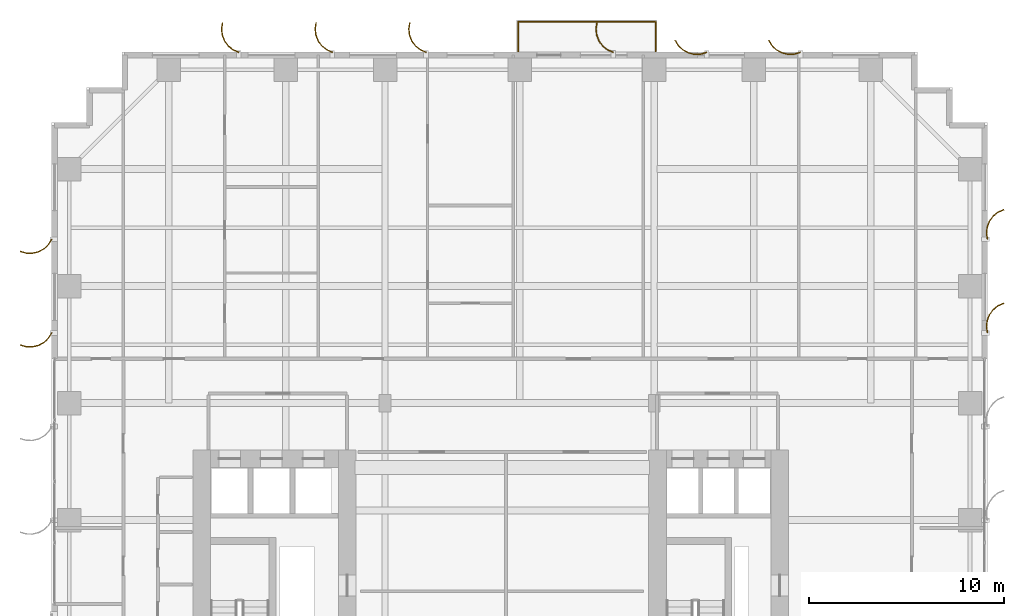
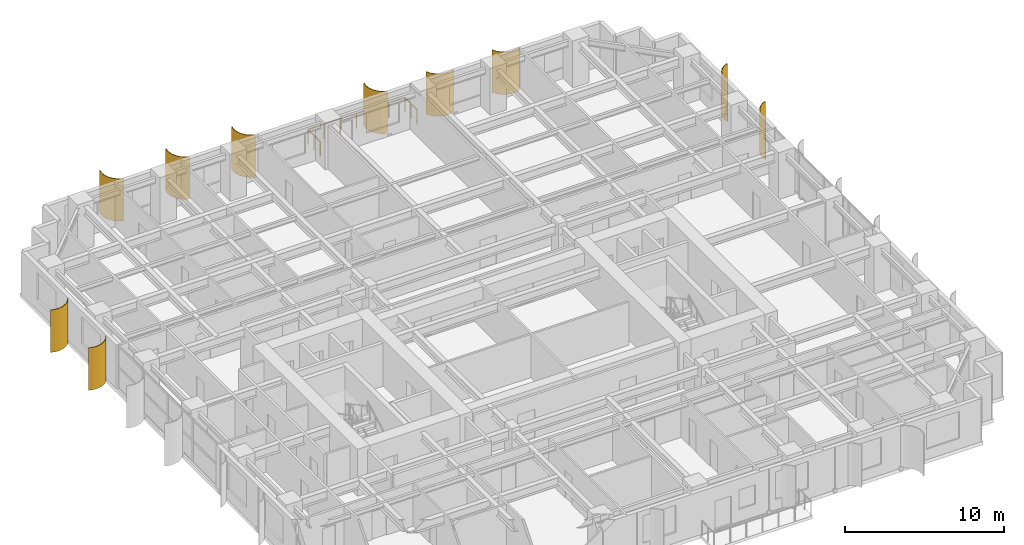
# One storey, part 17 of 17: 10 shading devices, 1 railing.
"""IFC4 building model written with IfcOpenShell, lengths in metres."""

from ifc_helpers import new_model, si_unit, direction, frame, origin, origin_2d, place, context, subcontext, project, spatial, polyline, circle, outline, extrude, source, transform, mapped, material, layer, layer_set, type_object, element, save


model = new_model("IFC4")

# Units and contexts
model_context = context("Model", 3, precision=1e-05, world=origin(), true_north=direction((0.0, 1.0)))
body_context = subcontext(model_context, "Body", "Model", "MODEL_VIEW")
ifc_project = project(units=[si_unit("LENGTHUNIT", "METRE"), si_unit("AREAUNIT", "SQUARE_METRE"), si_unit("VOLUMEUNIT", "CUBIC_METRE"), si_unit("PLANEANGLEUNIT", "RADIAN"), si_unit("MASSUNIT", "GRAM", prefix="KILO")], contexts=[model_context])

# Site, building, storey
site_placement = place(None, origin())
site = spatial("IfcSite", under=ifc_project, at=site_placement, CompositionType="ELEMENT")
building_placement = place(site_placement, origin())
building = spatial("IfcBuilding", under=site, at=building_placement, Name="Khoralis Quay Care Tower", CompositionType="ELEMENT")
storey_placement = place(building_placement, frame((0.0, 0.0, 58.5)))
storey = spatial("IfcBuildingStorey", under=building, at=storey_placement, Name="L15", CompositionType="ELEMENT", Elevation=58.5)

# Railing
ifc_material_1 = material(Name="Pale anodised aluminium", Category="aluminium")
railing_type = type_object("IfcRailingType", Name="RL-BALUST-1150", PredefinedType="BALUSTRADE", material=ifc_material_1)
railing_placement = place(storey_placement, frame((23.929931640625, 48.0400390625, -0.06005859375)))
element("IfcRailing", 1, at=railing_placement, inside=storey, type_object=railing_type, Name="L15 Senior Loggia Balcony Guard", PredefinedType="BALUSTRADE", context=body_context, shape_type="SweptSolid", body=[
    extrude(circle(Radius=0.02392578125, at=origin_2d()), frame((0.0, 0.0, 1.1259765625), z_axis=(0.0, 1.0, 0.0), x_axis=(-1.0, 0.0, 0.0)), (0.0, 0.0, 1.0), 1.530029296875),
    extrude(circle(Radius=0.02392578125, at=origin_2d()), frame((0.0, 1.530029296875, 1.1259765625), z_axis=(1.0, 0.0, 0.0), x_axis=(0.0, 1.0, 0.0)), (0.0, 0.0, 1.0), 7.0400390625),
    extrude(circle(Radius=0.02392578125, at=origin_2d()), frame((7.0400390625, 1.530029296875, 1.1259765625), z_axis=(0.0, -1.0, 0.0), x_axis=(1.0, 0.0, 0.0)), (0.0, 0.0, 1.0), 1.530029296875),
    extrude(circle(Radius=0.02099609375, at=origin_2d()), origin(), (0.0, 0.0, 1.0), 1.101806640625),
    extrude(circle(Radius=0.02099609375, at=origin_2d()), frame((0.0, 0.76513671875, 0.0)), (0.0, 0.0, 1.0), 1.101806640625),
    extrude(circle(Radius=0.02099609375, at=origin_2d()), frame((0.0, 1.530029296875, 0.0)), (0.0, 0.0, 1.0), 1.101806640625),
    extrude(circle(Radius=0.02099609375, at=origin_2d()), frame((1.17333984375, 1.530029296875, 0.0)), (0.0, 0.0, 1.0), 1.101806640625),
    extrude(circle(Radius=0.02099609375, at=origin_2d()), frame((2.3466796875, 1.530029296875, 0.0)), (0.0, 0.0, 1.0), 1.101806640625),
    extrude(circle(Radius=0.02099609375, at=origin_2d()), frame((3.52001953125, 1.530029296875, 0.0)), (0.0, 0.0, 1.0), 1.101806640625),
    extrude(circle(Radius=0.02099609375, at=origin_2d()), frame((4.693359375, 1.530029296875, 0.0)), (0.0, 0.0, 1.0), 1.101806640625),
    extrude(circle(Radius=0.02099609375, at=origin_2d()), frame((5.86669921875, 1.530029296875, 0.0)), (0.0, 0.0, 1.0), 1.101806640625),
    extrude(circle(Radius=0.02099609375, at=origin_2d()), frame((7.0400390625, 1.530029296875, 0.0)), (0.0, 0.0, 1.0), 1.101806640625),
    extrude(circle(Radius=0.02099609375, at=origin_2d()), frame((7.0400390625, 0.76513671875, 0.0)), (0.0, 0.0, 1.0), 1.101806640625),
    extrude(circle(Radius=0.02099609375, at=origin_2d()), frame((7.0400390625, 0.0, 0.0)), (0.0, 0.0, 1.0), 1.101806640625),
])

# Shading devices
ifc_material_2 = material(Name="Brushed pale anodised aluminium", Category="aluminium")
ifc_layer = layer(ifc_material_2, 0.044921875)
ifc_layer_set = layer_set([ifc_layer], Name="Brushed pale anodised aluminium")
shading_device_type = type_object("IfcShadingDeviceType", Name="SHD-FIN-1250", PredefinedType="USERDEFINED", material=ifc_layer_set)
shared_shape_1 = source(origin(), body_context, "Body", "SweptSolid", [
    extrude(outline(polyline([(0.0, 0.0), (0.130126953125, 0.29931640625), (0.333251953125, 0.5546875), (0.595458984375, 0.748779296875), (0.899169921875, 0.868408203125), (1.223388671875, 0.9052734375), (1.546142578125, 0.85693359375), (1.53369140625, 0.813720703125), (1.22265625, 0.8603515625), (0.91015625, 0.82470703125), (0.617431640625, 0.70947265625), (0.364501953125, 0.522216796875), (0.168701171875, 0.276123046875), (0.043212890625, -0.012451171875), (0.0, 0.0)])), origin(), (0.0, 0.0, 1.0), 3.260009765625),
])
for number, where, z_axis, x_axis, name in (
    (2, (28.800048828125, 47.969970703125, 0.02001953125), (0.0, 0.0, 1.0), (0.0, 1.0, 0.0), "L15 Curved Solar Fin P1E10-03"),
    (3, (19.199951171875, 47.969970703125, 0.02001953125), (0.0, 0.0, 1.0), (0.0, 1.0, 0.0), "L15 Curved Solar Fin P1E10-05"),
    (4, (14.39990234375, 47.969970703125, 0.02001953125), (0.0, 0.0, 1.0), (0.0, 1.0, 0.0), "L15 Curved Solar Fin P1E10-06"),
    (5, (9.60009765625, 47.969970703125, 0.02001953125), (0.0, 0.0, 1.0), (0.0, 1.0, 0.0), "L15 Curved Solar Fin P1E10-07"),
):
    element("IfcShadingDevice", number, at=place(storey_placement, frame(where, z_axis=z_axis, x_axis=x_axis)), inside=storey, type_object=shading_device_type, Name=name, ObjectType="FIN", PredefinedType="USERDEFINED", context=body_context, shape_type="MappedRepresentation", body=[
        mapped(shared_shape_1, transform((0.0, 0.0, 0.0), scale=1.0)),
    ])
shared_shape_2 = source(origin(), body_context, "Body", "SweptSolid", [
    extrude(outline(polyline([(0.0, 0.0), (0.17041015625, 0.2783203125), (0.4072265625, 0.5029296875), (0.694091796875, 0.658447265625), (1.01123046875, 0.734619140625), (1.33740234375, 0.72607421875), (1.650390625, 0.633544921875), (1.632080078125, 0.59228515625), (1.330322265625, 0.681640625), (1.015869140625, 0.68994140625), (0.710205078125, 0.616455078125), (0.43359375, 0.466552734375), (0.20556640625, 0.25), (0.041015625, -0.018310546875), (0.0, 0.0)])), origin(), (0.0, 0.0, 1.0), 3.260009765625),
])
for number, where, z_axis, x_axis, name in (
    (6, (0.030029296875, 38.39990234375, 0.02001953125), (0.0, 0.0, 1.0), (-1.0, 0.0, 0.0), "L15 Curved Solar Fin P1E15-01"),
    (7, (0.030029296875, 33.60009765625, 0.02001953125), (0.0, 0.0, 1.0), (-1.0, 0.0, 0.0), "L15 Curved Solar Fin P1E15-02"),
):
    element("IfcShadingDevice", number, at=place(storey_placement, frame(where, z_axis=z_axis, x_axis=x_axis)), inside=storey, type_object=shading_device_type, Name=name, ObjectType="FIN", PredefinedType="USERDEFINED", context=body_context, shape_type="MappedRepresentation", body=[
        mapped(shared_shape_2, transform((0.0, 0.0, 0.0), scale=1.0)),
    ])
shared_shape_3 = source(origin(), body_context, "Body", "SweptSolid", [
    extrude(outline(polyline([(0.0, 0.0), (-0.04833984375, 0.32275390625), (-0.01123046875, 0.64697265625), (0.1083984375, 0.950439453125), (0.302490234375, 1.212890625), (0.557861328125, 1.416015625), (0.85693359375, 1.546142578125), (0.869384765625, 1.5029296875), (0.5810546875, 1.37744140625), (0.334716796875, 1.181640625), (0.147705078125, 0.9287109375), (0.032470703125, 0.635986328125), (-0.003173828125, 0.323486328125), (0.043212890625, 0.012451171875), (0.0, 0.0)])), origin(), (0.0, 0.0, 1.0), 3.260009765625),
])
for number, where, z_axis, x_axis, name in (
    (8, (47.969970703125, 33.60009765625, 0.02001953125), (0.0, 0.0, 1.0), (1.0, 0.0, 0.0), "L15 Curved Solar Fin P1E5-06"),
    (9, (47.969970703125, 38.39990234375, 0.02001953125), (0.0, 0.0, 1.0), (1.0, 0.0, 0.0), "L15 Curved Solar Fin P1E5-07"),
):
    element("IfcShadingDevice", number, at=place(storey_placement, frame(where, z_axis=z_axis, x_axis=x_axis)), inside=storey, type_object=shading_device_type, Name=name, ObjectType="FIN", PredefinedType="USERDEFINED", context=body_context, shape_type="MappedRepresentation", body=[
        mapped(shared_shape_3, transform((0.0, 0.0, 0.0), scale=1.0)),
    ])
shared_shape_4 = source(origin(), body_context, "Body", "SweptSolid", [
    extrude(outline(polyline([(0.0, 0.0), (-0.0927734375, 0.31298828125), (-0.101318359375, 0.63916015625), (-0.025146484375, 0.956298828125), (0.130615234375, 1.2431640625), (0.355224609375, 1.479736328125), (0.633544921875, 1.650390625), (0.65185546875, 1.609130859375), (0.383544921875, 1.44482421875), (0.1669921875, 1.216796875), (0.01708984375, 0.940185546875), (-0.056396484375, 0.63427734375), (-0.04833984375, 0.31982421875), (0.041015625, 0.018310546875), (0.0, 0.0)])), origin(), (0.0, 0.0, 1.0), 3.260009765625),
])
for number, where, z_axis, x_axis, name in (
    (10, (38.39990234375, 47.969970703125, 0.02001953125), (0.0, 0.0, 1.0), (0.0, 1.0, 0.0), "L15 Curved Solar Fin P1E10-01"),
    (11, (33.60009765625, 47.969970703125, 0.02001953125), (0.0, 0.0, 1.0), (0.0, 1.0, 0.0), "L15 Curved Solar Fin P1E10-02"),
):
    element("IfcShadingDevice", number, at=place(storey_placement, frame(where, z_axis=z_axis, x_axis=x_axis)), inside=storey, type_object=shading_device_type, Name=name, ObjectType="FIN", PredefinedType="USERDEFINED", context=body_context, shape_type="MappedRepresentation", body=[
        mapped(shared_shape_4, transform((0.0, 0.0, 0.0), scale=1.0)),
    ])

save(model, "model.ifc")
